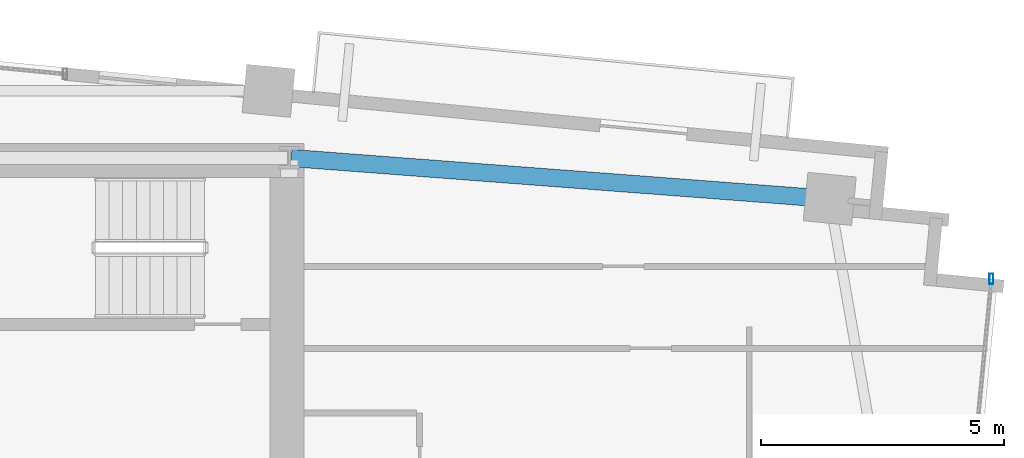
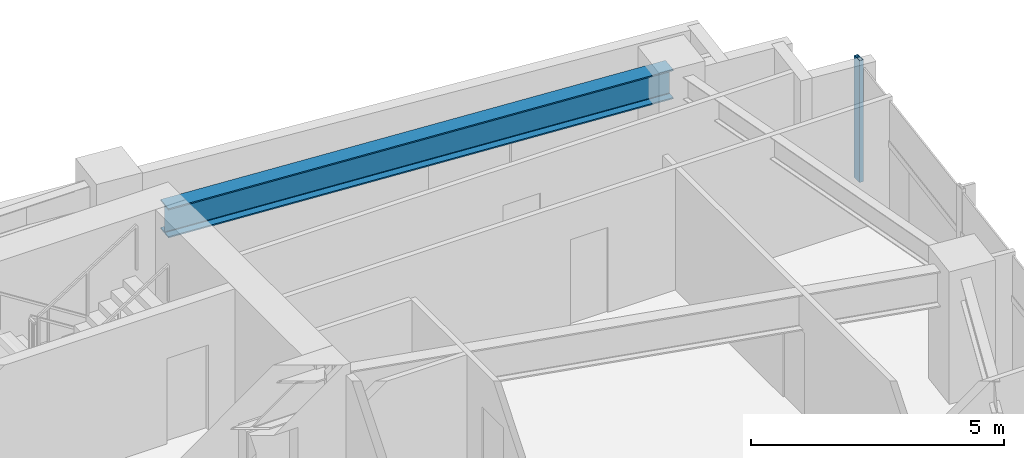
# One storey, part 12 of 19: 1 beam, 1 member, 1 element without a shape of its own.
"""IFC4 building model written with IfcOpenShell, lengths in metres."""

from ifc_helpers import new_model, si_unit, direction, frame, origin, origin_2d, place, context, subcontext, project, spatial, hollow_rectangle, i_section, extrude, source, transform, mapped, material, material_profile, profile_set, type_object, type_shapes, element, aggregate, save


model = new_model("IFC4")

# Units and contexts
model_context = context("Model", 3, precision=1e-05, world=origin(), true_north=direction((0.0, 1.0)))
body_context = subcontext(model_context, "Body", "Model", "MODEL_VIEW")
ifc_project = project(units=[si_unit("LENGTHUNIT", "METRE"), si_unit("AREAUNIT", "SQUARE_METRE"), si_unit("VOLUMEUNIT", "CUBIC_METRE"), si_unit("PLANEANGLEUNIT", "RADIAN"), si_unit("MASSUNIT", "GRAM", prefix="KILO")], contexts=[model_context])

# Site, building, storey
site_placement = place(None, origin())
site = spatial("IfcSite", under=ifc_project, at=site_placement, CompositionType="ELEMENT")
building_placement = place(site_placement, origin())
building = spatial("IfcBuilding", under=site, at=building_placement, Name="Astriad Promenade Condominiums", CompositionType="ELEMENT")
storey_placement = place(building_placement, frame((0.0, 0.0, 124.60009765625)))
storey = spatial("IfcBuildingStorey", under=building, at=storey_placement, Name="L35", CompositionType="ELEMENT", Elevation=124.60009765625)

# Beam
ifc_material_1 = material(Name="Steel ASTM A992 Grade 50", Category="steel")
ifc_material_profile_1 = material_profile(ifc_material_1, i_section(OverallWidth=0.35791015625, OverallDepth=0.706298828125, WebThickness=0.018310546875, FlangeThickness=0.0302734375, FilletRadius=0.020263671875, at=origin_2d()), Name="W27X178")
ifc_profile_set_1 = profile_set([ifc_material_profile_1], Name="Steel ASTM A992 Grade 50")
beam_type = type_object("IfcBeamType", Name="STEEL FLOOR GIRDER W27X178", PredefinedType="BEAM", material=ifc_profile_set_1)
shared_shape_1 = source(origin(), body_context, "Body", "SweptSolid", [
    extrude(i_section(OverallWidth=0.35791015625, OverallDepth=0.706298828125, WebThickness=0.018310546875, FlangeThickness=0.0302734375, FilletRadius=0.020263671875, at=origin_2d()), origin(), (0.0, 0.0, 1.0), 11.0712890625),
])
type_shapes(beam_type, [shared_shape_1])
beam_placement = place(storey_placement, frame((56.679443359375, 23.15966796875, 2.586669921875), z_axis=(-0.997135384808, 0.075637453445, 0.0), x_axis=(-0.075637453445, -0.997135384808, 0.0)))
element("IfcBeam", 1, at=beam_placement, inside=storey, type_object=beam_type, Name="Primary Floor Girder PG-NE-L35", PredefinedType="BEAM", context=body_context, shape_type="MappedRepresentation", body=[
    mapped(shared_shape_1, transform((0.0, 0.0, 0.0), scale=1.0)),
])

# Curtain wall, member
ifc_material_2 = material(Name="Anodised aluminium Black Dark Glass Unitised", Category="aluminium")
curtain_wall_type = type_object("IfcCurtainWallType", Name="CW-B34-DARK", PredefinedType="USERDEFINED", material=ifc_material_2)
curtain_wall_placement = place(storey_placement, origin())
curtain_wall = element("IfcCurtainWall", 2, at=curtain_wall_placement, inside=storey, type_object=curtain_wall_type, Name="CW-L35-E", ObjectType="UNITISED_CURTAIN_WALL", PredefinedType="USERDEFINED")
ifc_material_3 = material(Name="Anodised aluminium 6063-T6 Black", Category="aluminium")
ifc_material_profile_2 = material_profile(ifc_material_3, hollow_rectangle(XDim=0.0849609375, YDim=0.219970703125, WallThickness=0.0048828125, at=origin_2d()), Name="ALU-MUL-85X220")
ifc_profile_set_2 = profile_set([ifc_material_profile_2], Name="Anodised aluminium 6063-T6 Black")
member_type = type_object("IfcMemberType", Name="MUL-ALU-MUL-85X220", PredefinedType="MULLION", material=ifc_profile_set_2)
shared_shape_2 = source(origin(), body_context, "Body", "SweptSolid", [
    extrude(hollow_rectangle(XDim=0.0849609375, YDim=0.219970703125, WallThickness=0.0048828125, at=origin_2d()), origin(), (0.0, 0.0, 1.0), 2.93994140625),
])
type_shapes(member_type, [shared_shape_2])
member_placement = place(storey_placement, frame((60.046875, 21.51025390625, 0.0), z_axis=(0.0, 0.0, 1.0), x_axis=(1.0, 0.0, 0.0)))
member = element("IfcMember", 3, at=member_placement, type_object=member_type, Name="CW-L35-E-MUL-00", PredefinedType="MULLION", context=body_context, shape_type="MappedRepresentation", body=[
    mapped(shared_shape_2, transform((0.0, 0.0, 0.0), scale=1.0)),
])
aggregate(curtain_wall, [member])

save(model, "model.ifc")
